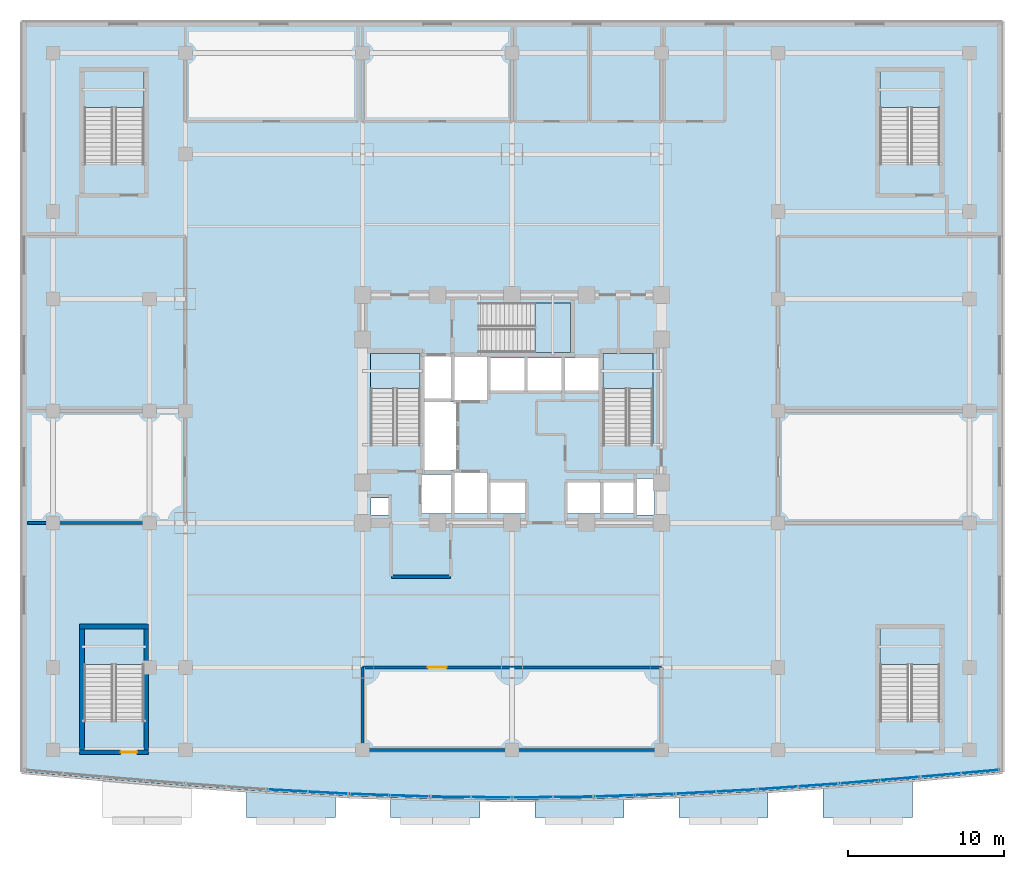
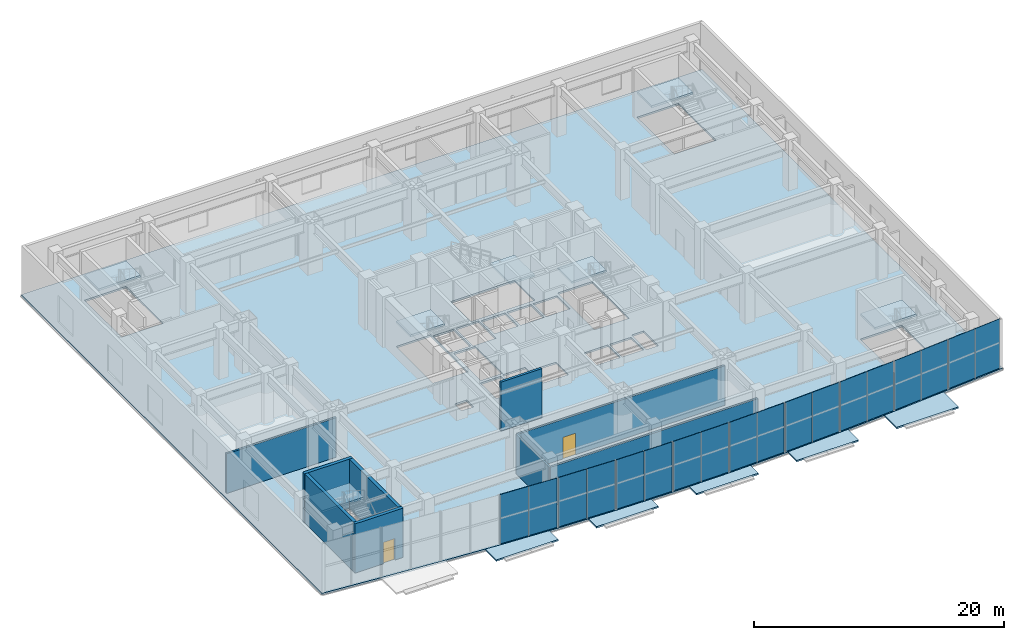
# One storey, part 11 of 24: 18 plates, 13 slabs, 9 walls, 2 doors, 2 openings, 16 elements without a shape of their own.
"""IFC4 building model written with IfcOpenShell, lengths in metres."""

from ifc_helpers import new_model, si_unit, direction, frame, frame_2d, origin, origin_2d, place, context, subcontext, project, spatial, polyline, rectangle, outline, extrude, material, layer, layer_set, type_object, element, fill, aggregate, save


model = new_model("IFC4")

# Units and contexts
model_context = context("Model", 3, precision=1e-05, world=origin(), true_north=direction((0.0, 1.0)))
body_context = subcontext(model_context, "Body", "Model", "MODEL_VIEW")
ifc_project = project(units=[si_unit("LENGTHUNIT", "METRE"), si_unit("AREAUNIT", "SQUARE_METRE"), si_unit("VOLUMEUNIT", "CUBIC_METRE"), si_unit("PLANEANGLEUNIT", "RADIAN"), si_unit("MASSUNIT", "GRAM", prefix="KILO")], contexts=[model_context])

# Site, building, storey
site_placement = place(None, origin())
site = spatial("IfcSite", under=ifc_project, at=site_placement, CompositionType="ELEMENT")
building_placement = place(site_placement, origin())
building = spatial("IfcBuilding", under=site, at=building_placement, Name="Vantalir Tower", CompositionType="ELEMENT")
storey_placement = place(building_placement, frame((0.0, 0.0, 6.0)))
storey = spatial("IfcBuildingStorey", under=building, at=storey_placement, Name="L01", CompositionType="ELEMENT", Elevation=6.0)

# Curtain wall, plates
ifc_material_1 = material(Name="Champagne-silver PVDF aluminium and double-silver Low-E glass", Category="aluminium")
ifc_layer_1 = layer(ifc_material_1, 0.239990234375)
ifc_layer_set_1 = layer_set([ifc_layer_1], Name="Champagne-silver PVDF aluminium and double-silver Low-E glass")
curtain_wall_type = type_object("IfcCurtainWallType", Name="CW-PODIUM-WF", PredefinedType="USERDEFINED", material=ifc_layer_set_1)
curtain_wall_1_placement = place(storey_placement, origin())
curtain_wall_1 = element("IfcCurtainWall", 1, at=curtain_wall_1_placement, inside=storey, type_object=curtain_wall_type, Name="Level 01 Waterfront Stick Curtain Wall 04", ObjectType="STICK CURTAIN WALL", PredefinedType="USERDEFINED")
ifc_material_2 = material(Name="Laminated waterfront podium glass IGU", Category="glass")
ifc_layer_2 = layer(ifc_material_2, 0.0400390625)
ifc_layer_set_2 = layer_set([ifc_layer_2], Name="Laminated waterfront podium glass IGU")
plate_type = type_object("IfcPlateType", Name="CWP-IGU-POD-40", PredefinedType="CURTAIN_PANEL", material=ifc_layer_set_2)
plate_1_placement = place(storey_placement, frame((17.0869140625, 0.593994140625, -0.008056640625), z_axis=(0.0, 0.0, 1.0), x_axis=(0.998519631691, -0.054392509858, 0.0)))
plate_1 = element("IfcPlate", 2, at=plate_1_placement, type_object=plate_type, Name="CW-L01-WF-04 Glazed Panel 1", PredefinedType="CURTAIN_PANEL", context=body_context, shape_type="SweptSolid", body=[
    extrude(rectangle(XDim=2.55908203125, YDim=0.0400390625, at=origin_2d()), origin(), (0.0, 0.0, 1.0), 4.8359375),
])
plate_2_placement = place(storey_placement, frame((19.6630859375, 0.4541015625, -0.008056640625), z_axis=(0.0, 0.0, 1.0), x_axis=(0.998519631691, -0.054392509858, 0.0)))
plate_2 = element("IfcPlate", 3, at=plate_2_placement, type_object=plate_type, Name="CW-L01-WF-04 Glazed Panel 2", PredefinedType="CURTAIN_PANEL", context=body_context, shape_type="SweptSolid", body=[
    extrude(rectangle(XDim=2.55908203125, YDim=0.0400390625, at=origin_2d()), origin(), (0.0, 0.0, 1.0), 4.8359375),
])
aggregate(curtain_wall_1, [plate_1, plate_2])

curtain_wall_2_placement = place(storey_placement, origin())
curtain_wall_2 = element("IfcCurtainWall", 4, at=curtain_wall_2_placement, inside=storey, type_object=curtain_wall_type, Name="Level 01 Waterfront Stick Curtain Wall 05", ObjectType="STICK CURTAIN WALL", PredefinedType="USERDEFINED")
plate_3_placement = place(storey_placement, frame((22.3369140625, 0.3349609375, -0.008056640625), z_axis=(0.0, 0.0, 1.0), x_axis=(0.999412557746, -0.034271554079, 0.0)))
plate_3 = element("IfcPlate", 5, at=plate_3_placement, type_object=plate_type, Name="CW-L01-WF-05 Glazed Panel 1", PredefinedType="CURTAIN_PANEL", context=body_context, shape_type="SweptSolid", body=[
    extrude(rectangle(XDim=2.556884765625, YDim=0.0400390625, at=origin_2d()), origin(), (0.0, 0.0, 1.0), 4.8359375),
])
plate_4_placement = place(storey_placement, frame((24.9130859375, 0.2470703125, -0.008056640625), z_axis=(0.0, 0.0, 1.0), x_axis=(0.999412557746, -0.034271554079, 0.0)))
plate_4 = element("IfcPlate", 6, at=plate_4_placement, type_object=plate_type, Name="CW-L01-WF-05 Glazed Panel 2", PredefinedType="CURTAIN_PANEL", context=body_context, shape_type="SweptSolid", body=[
    extrude(rectangle(XDim=2.556884765625, YDim=0.0400390625, at=origin_2d()), origin(), (0.0, 0.0, 1.0), 4.8359375),
])
aggregate(curtain_wall_2, [plate_3, plate_4])

curtain_wall_3_placement = place(storey_placement, origin())
curtain_wall_3 = element("IfcCurtainWall", 7, at=curtain_wall_3_placement, inside=storey, type_object=curtain_wall_type, Name="Level 01 Waterfront Stick Curtain Wall 06", ObjectType="STICK CURTAIN WALL", PredefinedType="USERDEFINED")
plate_5_placement = place(storey_placement, frame((27.5869140625, 0.18505859375, -0.008056640625), z_axis=(0.0, 0.0, 1.0), x_axis=(0.999932443319, -0.01162363106, 0.0)))
plate_5 = element("IfcPlate", 8, at=plate_5_placement, type_object=plate_type, Name="CW-L01-WF-06 Glazed Panel 1", PredefinedType="CURTAIN_PANEL", context=body_context, shape_type="SweptSolid", body=[
    extrude(rectangle(XDim=2.554931640625, YDim=0.0400390625, at=origin_2d()), origin(), (0.0, 0.0, 1.0), 4.8359375),
])
plate_6_placement = place(storey_placement, frame((30.1630859375, 0.156005859375, -0.008056640625), z_axis=(0.0, 0.0, 1.0), x_axis=(0.999932443319, -0.01162363106, 0.0)))
plate_6 = element("IfcPlate", 9, at=plate_6_placement, type_object=plate_type, Name="CW-L01-WF-06 Glazed Panel 2", PredefinedType="CURTAIN_PANEL", context=body_context, shape_type="SweptSolid", body=[
    extrude(rectangle(XDim=2.554931640625, YDim=0.0400390625, at=origin_2d()), origin(), (0.0, 0.0, 1.0), 4.8359375),
])
aggregate(curtain_wall_3, [plate_5, plate_6])

curtain_wall_4_placement = place(storey_placement, origin())
curtain_wall_4 = element("IfcCurtainWall", 10, at=curtain_wall_4_placement, inside=storey, type_object=curtain_wall_type, Name="Level 01 Waterfront Stick Curtain Wall 07", ObjectType="STICK CURTAIN WALL", PredefinedType="USERDEFINED")
plate_7_placement = place(storey_placement, frame((32.8369140625, 0.156005859375, -0.008056640625), z_axis=(0.0, 0.0, 1.0), x_axis=(0.999932443319, 0.01162363106, 0.0)))
plate_7 = element("IfcPlate", 11, at=plate_7_placement, type_object=plate_type, Name="CW-L01-WF-07 Glazed Panel 1", PredefinedType="CURTAIN_PANEL", context=body_context, shape_type="SweptSolid", body=[
    extrude(rectangle(XDim=2.554931640625, YDim=0.0400390625, at=origin_2d()), origin(), (0.0, 0.0, 1.0), 4.8359375),
])
plate_8_placement = place(storey_placement, frame((35.4130859375, 0.18505859375, -0.008056640625), z_axis=(0.0, 0.0, 1.0), x_axis=(0.999932443319, 0.01162363106, 0.0)))
plate_8 = element("IfcPlate", 12, at=plate_8_placement, type_object=plate_type, Name="CW-L01-WF-07 Glazed Panel 2", PredefinedType="CURTAIN_PANEL", context=body_context, shape_type="SweptSolid", body=[
    extrude(rectangle(XDim=2.554931640625, YDim=0.0400390625, at=origin_2d()), origin(), (0.0, 0.0, 1.0), 4.8359375),
])
aggregate(curtain_wall_4, [plate_7, plate_8])

curtain_wall_5_placement = place(storey_placement, origin())
curtain_wall_5 = element("IfcCurtainWall", 13, at=curtain_wall_5_placement, inside=storey, type_object=curtain_wall_type, Name="Level 01 Waterfront Stick Curtain Wall 08", ObjectType="STICK CURTAIN WALL", PredefinedType="USERDEFINED")
plate_9_placement = place(storey_placement, frame((38.0869140625, 0.2470703125, -0.008056640625), z_axis=(0.0, 0.0, 1.0), x_axis=(0.999412557746, 0.034271554079, 0.0)))
plate_9 = element("IfcPlate", 14, at=plate_9_placement, type_object=plate_type, Name="CW-L01-WF-08 Glazed Panel 1", PredefinedType="CURTAIN_PANEL", context=body_context, shape_type="SweptSolid", body=[
    extrude(rectangle(XDim=2.556884765625, YDim=0.0400390625, at=origin_2d()), origin(), (0.0, 0.0, 1.0), 4.8359375),
])
plate_10_placement = place(storey_placement, frame((40.6630859375, 0.3349609375, -0.008056640625), z_axis=(0.0, 0.0, 1.0), x_axis=(0.999412557746, 0.034271554079, 0.0)))
plate_10 = element("IfcPlate", 15, at=plate_10_placement, type_object=plate_type, Name="CW-L01-WF-08 Glazed Panel 2", PredefinedType="CURTAIN_PANEL", context=body_context, shape_type="SweptSolid", body=[
    extrude(rectangle(XDim=2.556884765625, YDim=0.0400390625, at=origin_2d()), origin(), (0.0, 0.0, 1.0), 4.8359375),
])
aggregate(curtain_wall_5, [plate_9, plate_10])

curtain_wall_6_placement = place(storey_placement, origin())
curtain_wall_6 = element("IfcCurtainWall", 16, at=curtain_wall_6_placement, inside=storey, type_object=curtain_wall_type, Name="Level 01 Waterfront Stick Curtain Wall 09", ObjectType="STICK CURTAIN WALL", PredefinedType="USERDEFINED")
plate_11_placement = place(storey_placement, frame((43.3369140625, 0.4541015625, -0.008056640625), z_axis=(0.0, 0.0, 1.0), x_axis=(0.998519631691, 0.054392509858, 0.0)))
plate_11 = element("IfcPlate", 17, at=plate_11_placement, type_object=plate_type, Name="CW-L01-WF-09 Glazed Panel 1", PredefinedType="CURTAIN_PANEL", context=body_context, shape_type="SweptSolid", body=[
    extrude(rectangle(XDim=2.55908203125, YDim=0.0400390625, at=origin_2d()), origin(), (0.0, 0.0, 1.0), 4.8359375),
])
plate_12_placement = place(storey_placement, frame((45.9130859375, 0.593994140625, -0.008056640625), z_axis=(0.0, 0.0, 1.0), x_axis=(0.998519631691, 0.054392509858, 0.0)))
plate_12 = element("IfcPlate", 18, at=plate_12_placement, type_object=plate_type, Name="CW-L01-WF-09 Glazed Panel 2", PredefinedType="CURTAIN_PANEL", context=body_context, shape_type="SweptSolid", body=[
    extrude(rectangle(XDim=2.55908203125, YDim=0.0400390625, at=origin_2d()), origin(), (0.0, 0.0, 1.0), 4.8359375),
])
aggregate(curtain_wall_6, [plate_11, plate_12])

curtain_wall_7_placement = place(storey_placement, origin())
curtain_wall_7 = element("IfcCurtainWall", 19, at=curtain_wall_7_placement, inside=storey, type_object=curtain_wall_type, Name="Level 01 Waterfront Stick Curtain Wall 10", ObjectType="STICK CURTAIN WALL", PredefinedType="USERDEFINED")
plate_13_placement = place(storey_placement, frame((48.5869140625, 0.761962890625, -0.008056640625), z_axis=(0.0, 0.0, 1.0), x_axis=(0.99748550921, 0.070870719734, 0.0)))
plate_13 = element("IfcPlate", 20, at=plate_13_placement, type_object=plate_type, Name="CW-L01-WF-10 Glazed Panel 1", PredefinedType="CURTAIN_PANEL", context=body_context, shape_type="SweptSolid", body=[
    extrude(rectangle(XDim=2.56201171875, YDim=0.0400390625, at=origin_2d()), origin(), (0.0, 0.0, 1.0), 4.8359375),
])
plate_14_placement = place(storey_placement, frame((51.1630859375, 0.945068359375, -0.008056640625), z_axis=(0.0, 0.0, 1.0), x_axis=(0.99748550921, 0.070870719734, 0.0)))
plate_14 = element("IfcPlate", 21, at=plate_14_placement, type_object=plate_type, Name="CW-L01-WF-10 Glazed Panel 2", PredefinedType="CURTAIN_PANEL", context=body_context, shape_type="SweptSolid", body=[
    extrude(rectangle(XDim=2.56201171875, YDim=0.0400390625, at=origin_2d()), origin(), (0.0, 0.0, 1.0), 4.8359375),
])
aggregate(curtain_wall_7, [plate_13, plate_14])

curtain_wall_8_placement = place(storey_placement, origin())
curtain_wall_8 = element("IfcCurtainWall", 22, at=curtain_wall_8_placement, inside=storey, type_object=curtain_wall_type, Name="Level 01 Waterfront Stick Curtain Wall 11", ObjectType="STICK CURTAIN WALL", PredefinedType="USERDEFINED")
plate_15_placement = place(storey_placement, frame((53.8369140625, 1.15087890625, -0.008056640625), z_axis=(0.0, 0.0, 1.0), x_axis=(0.996600101689, 0.082390759878, 0.0)))
plate_15 = element("IfcPlate", 23, at=plate_15_placement, type_object=plate_type, Name="CW-L01-WF-11 Glazed Panel 1", PredefinedType="CURTAIN_PANEL", context=body_context, shape_type="SweptSolid", body=[
    extrude(rectangle(XDim=2.56396484375, YDim=0.0400390625, at=origin_2d()), origin(), (0.0, 0.0, 1.0), 4.8359375),
])
plate_16_placement = place(storey_placement, frame((56.4130859375, 1.363037109375, -0.008056640625), z_axis=(0.0, 0.0, 1.0), x_axis=(0.996600101689, 0.082390759878, 0.0)))
plate_16 = element("IfcPlate", 24, at=plate_16_placement, type_object=plate_type, Name="CW-L01-WF-11 Glazed Panel 2", PredefinedType="CURTAIN_PANEL", context=body_context, shape_type="SweptSolid", body=[
    extrude(rectangle(XDim=2.56396484375, YDim=0.0400390625, at=origin_2d()), origin(), (0.0, 0.0, 1.0), 4.8359375),
])
aggregate(curtain_wall_8, [plate_15, plate_16])

curtain_wall_9_placement = place(storey_placement, origin())
curtain_wall_9 = element("IfcCurtainWall", 25, at=curtain_wall_9_placement, inside=storey, type_object=curtain_wall_type, Name="Level 01 Waterfront Stick Curtain Wall 12", ObjectType="STICK CURTAIN WALL", PredefinedType="USERDEFINED")
plate_17_placement = place(storey_placement, frame((59.0869140625, 1.593017578125, -0.008056640625), z_axis=(0.0, 0.0, 1.0), x_axis=(0.99608438842, 0.088407528781, 0.0)))
plate_17 = element("IfcPlate", 26, at=plate_17_placement, type_object=plate_type, Name="CW-L01-WF-12 Glazed Panel 1", PredefinedType="CURTAIN_PANEL", context=body_context, shape_type="SweptSolid", body=[
    extrude(rectangle(XDim=2.56494140625, YDim=0.0400390625, at=origin_2d()), origin(), (0.0, 0.0, 1.0), 4.8359375),
])
plate_18_placement = place(storey_placement, frame((61.597900390625, 1.81591796875, -0.008056640625), z_axis=(0.0, 0.0, 1.0), x_axis=(0.99608438842, 0.088407528781, 0.0)))
plate_18 = element("IfcPlate", 27, at=plate_18_placement, type_object=plate_type, Name="CW-L01-WF-12 Glazed Panel 2", PredefinedType="CURTAIN_PANEL", context=body_context, shape_type="SweptSolid", body=[
    extrude(rectangle(XDim=2.43505859375, YDim=0.0400390625, at=origin_2d()), origin(), (0.0, 0.0, 1.0), 4.8359375),
])
aggregate(curtain_wall_9, [plate_17, plate_18])

# Slabs
ifc_material_3 = material(Name="Champagne-silver aluminium and Concrete C40/50 canopy", Category="concrete")
ifc_layer_3 = layer(ifc_material_3, 0.14990234375)
ifc_layer_set_3 = layer_set([ifc_layer_3], Name="Champagne-silver aluminium and Concrete C40/50 canopy")
slab_type_1 = type_object("IfcSlabType", Name="SL-KAKILIMA-CANOPY-150", PredefinedType="ROOF", material=ifc_layer_set_3)
slab_1_placement = place(storey_placement, frame((0.0, 0.0, -0.14990234375)))
element("IfcSlab", 28, at=slab_1_placement, inside=storey, type_object=slab_type_1, Name="Level 01 Waterfront Kaki-Lima Canopy Bay 02", PredefinedType="ROOF", context=body_context, shape_type="SweptSolid", body=[
    extrude(outline(polyline([(20.1669921875, 0.282958984375), (15.75, 0.52392578125), (14.43310546875, 0.617919921875), (14.43310546875, -1.14990234375), (20.1669921875, -1.14990234375), (20.1669921875, 0.282958984375)])), origin(), (0.0, 0.0, 1.0), 0.14990234375),
])
slab_2_placement = place(storey_placement, frame((0.0, 0.0, -0.14990234375)))
element("IfcSlab", 29, at=slab_2_placement, inside=storey, type_object=slab_type_1, Name="Level 01 Waterfront Kaki-Lima Canopy Bay 03", PredefinedType="ROOF", context=body_context, shape_type="SweptSolid", body=[
    extrude(outline(polyline([(29.43310546875, 0.02099609375), (26.25, 0.05810546875), (23.699951171875, 0.14501953125), (23.699951171875, -1.14990234375), (29.43310546875, -1.14990234375), (29.43310546875, 0.02099609375)])), origin(), (0.0, 0.0, 1.0), 0.14990234375),
])
slab_3_placement = place(storey_placement, frame((0.0, 0.0, -0.14990234375)))
element("IfcSlab", 30, at=slab_3_placement, inside=storey, type_object=slab_type_1, Name="Level 01 Waterfront Kaki-Lima Canopy Bay 04", PredefinedType="ROOF", context=body_context, shape_type="SweptSolid", body=[
    extrude(outline(polyline([(38.699951171875, 0.125), (36.75, 0.05810546875), (32.967041015625, 0.013916015625), (32.967041015625, -1.14990234375), (38.699951171875, -1.14990234375), (38.699951171875, 0.125)])), origin(), (0.0, 0.0, 1.0), 0.14990234375),
])
slab_4_placement = place(storey_placement, frame((0.0, 0.0, -0.14990234375)))
element("IfcSlab", 31, at=slab_4_placement, inside=storey, type_object=slab_type_1, Name="Level 01 Waterfront Kaki-Lima Canopy Bay 05", PredefinedType="ROOF", context=body_context, shape_type="SweptSolid", body=[
    extrude(outline(polyline([(47.967041015625, 0.574951171875), (47.25, 0.52392578125), (42.23291015625, 0.2509765625), (42.23291015625, -1.14990234375), (47.967041015625, -1.14990234375), (47.967041015625, 0.574951171875)])), origin(), (0.0, 0.0, 1.0), 0.14990234375),
])
slab_5_placement = place(storey_placement, frame((0.0, 0.0, -0.14990234375)))
element("IfcSlab", 32, at=slab_5_placement, inside=storey, type_object=slab_type_1, Name="Level 01 Waterfront Kaki-Lima Canopy Bay 06", PredefinedType="ROOF", context=body_context, shape_type="SweptSolid", body=[
    extrude(outline(polyline([(57.23291015625, 1.2880859375), (52.5, 0.89697265625), (51.5, 0.825927734375), (51.5, -1.14990234375), (57.23291015625, -1.14990234375), (57.23291015625, 1.2880859375)])), origin(), (0.0, 0.0, 1.0), 0.14990234375),
])

# Stair, slab
ifc_material_4 = material(Name="Concrete C40/50", Category="concrete")
stair_type_1 = type_object("IfcStairType", Name="STR-CORE-1450", PredefinedType="HALF_TURN_STAIR", material=ifc_material_4)
stair_1_placement = place(storey_placement, origin())
stair_1 = element("IfcStair", 33, at=stair_1_placement, inside=storey, type_object=stair_type_1, Name="Level 01 Core Exit Stair 1", PredefinedType="HALF_TURN_STAIR")
ifc_layer_4 = layer(ifc_material_4, 0.199951171875)
ifc_layer_set_4 = layer_set([ifc_layer_4], Name="Concrete C40/50")
slab_type_2 = type_object("IfcSlabType", Name="SL-LAND-200", PredefinedType="LANDING", material=ifc_layer_set_4)
slab_6_placement = place(storey_placement, frame((0.0, 0.0, 2.300048828125)))
slab_6 = element("IfcSlab", 34, at=slab_6_placement, type_object=slab_type_2, Name="ST1 landing 1", PredefinedType="LANDING", context=body_context, shape_type="SweptSolid", body=[
    extrude(outline(polyline([(25.60009765625, 26.429931640625), (25.60009765625, 28.699951171875), (22.39990234375, 28.699951171875), (22.39990234375, 26.429931640625), (25.60009765625, 26.429931640625)])), origin(), (0.0, 0.0, 1.0), 0.199951171875),
])
aggregate(stair_1, [slab_6])

stair_2_placement = place(storey_placement, origin())
stair_2 = element("IfcStair", 35, at=stair_2_placement, inside=storey, type_object=stair_type_1, Name="Level 01 Core Exit Stair 2", PredefinedType="HALF_TURN_STAIR")
slab_7_placement = place(storey_placement, frame((0.0, 0.0, 2.300048828125)))
slab_7 = element("IfcSlab", 36, at=slab_7_placement, type_object=slab_type_2, Name="ST2 landing 1", PredefinedType="LANDING", context=body_context, shape_type="SweptSolid", body=[
    extrude(outline(polyline([(40.550048828125, 26.429931640625), (40.550048828125, 28.699951171875), (37.35009765625, 28.699951171875), (37.35009765625, 26.429931640625), (40.550048828125, 26.429931640625)])), origin(), (0.0, 0.0, 1.0), 0.199951171875),
])
aggregate(stair_2, [slab_7])

stair_3_placement = place(storey_placement, origin())
stair_3 = element("IfcStair", 37, at=stair_3_placement, inside=storey, type_object=stair_type_1, Name="Level 01 Core Exit Stair 3", PredefinedType="HALF_TURN_STAIR")
slab_8_placement = place(storey_placement, frame((0.0, 0.0, 2.300048828125)))
slab_8 = element("IfcSlab", 38, at=slab_8_placement, type_object=slab_type_2, Name="ST3 landing 1", PredefinedType="LANDING", context=body_context, shape_type="SweptSolid", body=[
    extrude(outline(polyline([(32.97998046875, 28.75), (35.25, 28.75), (35.25, 31.949951171875), (32.97998046875, 31.949951171875), (32.97998046875, 28.75)])), origin(), (0.0, 0.0, 1.0), 0.199951171875),
])
aggregate(stair_3, [slab_8])

stair_type_2 = type_object("IfcStairType", Name="STR-POD-1550", PredefinedType="HALF_TURN_STAIR", material=ifc_material_4)
stair_4_placement = place(storey_placement, origin())
stair_4 = element("IfcStair", 39, at=stair_4_placement, inside=storey, type_object=stair_type_2, Name="Level 01 Podium Exit Stair 1", PredefinedType="HALF_TURN_STAIR")
slab_9_placement = place(storey_placement, frame((0.0, 0.0, 2.300048828125)))
slab_9 = element("IfcSlab", 40, at=slab_9_placement, type_object=slab_type_2, Name="PST1 landing 1", PredefinedType="LANDING", context=body_context, shape_type="SweptSolid", body=[
    extrude(outline(polyline([(7.85009765625, 44.489990234375), (7.85009765625, 46.800048828125), (4.0, 46.800048828125), (4.0, 44.489990234375), (7.85009765625, 44.489990234375)])), origin(), (0.0, 0.0, 1.0), 0.199951171875),
])
aggregate(stair_4, [slab_9])

stair_5_placement = place(storey_placement, origin())
stair_5 = element("IfcStair", 41, at=stair_5_placement, inside=storey, type_object=stair_type_2, Name="Level 01 Podium Exit Stair 2", PredefinedType="HALF_TURN_STAIR")
slab_10_placement = place(storey_placement, frame((0.0, 0.0, 2.300048828125)))
slab_10 = element("IfcSlab", 42, at=slab_10_placement, type_object=slab_type_2, Name="PST2 landing 1", PredefinedType="LANDING", context=body_context, shape_type="SweptSolid", body=[
    extrude(outline(polyline([(59.0, 44.489990234375), (59.0, 46.800048828125), (55.14990234375, 46.800048828125), (55.14990234375, 44.489990234375), (59.0, 44.489990234375)])), origin(), (0.0, 0.0, 1.0), 0.199951171875),
])
aggregate(stair_5, [slab_10])

stair_6_placement = place(storey_placement, origin())
stair_6 = element("IfcStair", 43, at=stair_6_placement, inside=storey, type_object=stair_type_2, Name="Level 01 Podium Exit Stair 3", PredefinedType="HALF_TURN_STAIR")
slab_11_placement = place(storey_placement, frame((0.0, 0.0, 2.300048828125)))
slab_11 = element("IfcSlab", 44, at=slab_11_placement, type_object=slab_type_2, Name="PST3 landing 1", PredefinedType="LANDING", context=body_context, shape_type="SweptSolid", body=[
    extrude(outline(polyline([(7.85009765625, 8.68994140625), (7.85009765625, 11.0), (4.0, 11.0), (4.0, 8.68994140625), (7.85009765625, 8.68994140625)])), origin(), (0.0, 0.0, 1.0), 0.199951171875),
])
aggregate(stair_6, [slab_11])

stair_7_placement = place(storey_placement, origin())
stair_7 = element("IfcStair", 45, at=stair_7_placement, inside=storey, type_object=stair_type_2, Name="Level 01 Podium Exit Stair 4", PredefinedType="HALF_TURN_STAIR")
slab_12_placement = place(storey_placement, frame((0.0, 0.0, 2.300048828125)))
slab_12 = element("IfcSlab", 46, at=slab_12_placement, type_object=slab_type_2, Name="PST4 landing 1", PredefinedType="LANDING", context=body_context, shape_type="SweptSolid", body=[
    extrude(outline(polyline([(59.0, 8.68994140625), (59.0, 11.0), (55.14990234375, 11.0), (55.14990234375, 8.68994140625), (59.0, 8.68994140625)])), origin(), (0.0, 0.0, 1.0), 0.199951171875),
])
aggregate(stair_7, [slab_12])

# Slab
ifc_layer_5 = layer(ifc_material_4, 0.179931640625)
ifc_layer_set_5 = layer_set([ifc_layer_5], Name="Concrete C40/50")
slab_type_3 = type_object("IfcSlabType", Name="SL-TWR-180", PredefinedType="FLOOR", material=ifc_layer_set_5)
slab_13_placement = place(storey_placement, frame((0.0, 0.0, -0.179931640625)))
element("IfcSlab", 47, at=slab_13_placement, inside=storey, type_object=slab_type_3, Name="Level 01 Primary Structural Slab", PredefinedType="FLOOR", context=body_context, shape_type="SweptSolid", body=[
    extrude(outline(polyline([(57.75, 1.333984375), (63.0, 1.800048828125), (63.0, 50.0), (0.0, 50.0), (0.0, 1.800048828125), (5.25, 1.333984375), (10.5, 0.89990234375), (15.75, 0.527099609375), (21.0, 0.240966796875), (26.25, 0.06103515625), (31.5, 0.0), (36.75, 0.06103515625), (42.0, 0.240966796875), (47.25, 0.527099609375), (52.5, 0.89990234375), (57.75, 1.333984375)]), holes=[polyline([(22.39990234375, 22.7900390625), (22.39990234375, 28.699951171875), (25.60009765625, 28.699951171875), (25.60009765625, 22.7900390625), (22.39990234375, 22.7900390625)]), polyline([(37.35009765625, 28.699951171875), (40.550048828125, 28.699951171875), (40.550048828125, 22.7900390625), (37.35009765625, 22.7900390625), (37.35009765625, 28.699951171875)]), polyline([(35.25, 28.75), (29.340087890625, 28.75), (29.340087890625, 31.949951171875), (35.25, 31.949951171875), (35.25, 28.75)]), polyline([(7.85009765625, 40.85009765625), (4.0, 40.85009765625), (4.0, 46.800048828125), (7.85009765625, 46.800048828125), (7.85009765625, 40.85009765625)]), polyline([(55.14990234375, 40.85009765625), (55.14990234375, 46.800048828125), (59.0, 46.800048828125), (59.0, 40.85009765625), (55.14990234375, 40.85009765625)]), polyline([(4.0, 11.0), (7.85009765625, 11.0), (7.85009765625, 5.050048828125), (4.0, 5.050048828125), (4.0, 11.0)]), polyline([(59.0, 11.0), (59.0, 5.050048828125), (55.14990234375, 5.050048828125), (55.14990234375, 11.0), (59.0, 11.0)]), polyline([(27.60009765625, 18.39990234375), (25.699951171875, 18.39990234375), (25.699951171875, 20.89990234375), (27.60009765625, 20.89990234375), (27.60009765625, 18.39990234375)]), polyline([(25.699951171875, 25.800048828125), (25.699951171875, 28.5), (27.60009765625, 28.5), (27.60009765625, 25.800048828125), (25.699951171875, 25.800048828125)]), polyline([(27.800048828125, 21.0), (29.89990234375, 21.0), (29.89990234375, 18.39990234375), (27.800048828125, 18.39990234375), (27.800048828125, 21.0)]), polyline([(29.89990234375, 28.5), (29.89990234375, 25.699951171875), (27.800048828125, 25.699951171875), (27.800048828125, 28.5), (29.89990234375, 28.5)]), polyline([(32.39990234375, 18.39990234375), (30.10009765625, 18.39990234375), (30.10009765625, 20.39990234375), (32.39990234375, 20.39990234375), (32.39990234375, 18.39990234375)]), polyline([(37.35009765625, 18.39990234375), (37.35009765625, 20.39990234375), (39.35009765625, 20.39990234375), (39.35009765625, 18.39990234375), (37.35009765625, 18.39990234375)]), polyline([(35.0, 20.39990234375), (37.199951171875, 20.39990234375), (37.199951171875, 18.39990234375), (35.0, 18.39990234375), (35.0, 20.39990234375)]), polyline([(32.300048828125, 28.39990234375), (32.300048828125, 26.300048828125), (30.10009765625, 26.300048828125), (30.10009765625, 28.39990234375), (32.300048828125, 28.39990234375)]), polyline([(34.699951171875, 26.300048828125), (32.5, 26.300048828125), (32.5, 28.39990234375), (34.699951171875, 28.39990234375), (34.699951171875, 26.300048828125)]), polyline([(34.89990234375, 26.300048828125), (34.89990234375, 28.39990234375), (37.10009765625, 28.39990234375), (37.10009765625, 26.300048828125), (34.89990234375, 26.300048828125)]), polyline([(25.889892578125, 25.56005859375), (27.89990234375, 25.56005859375), (27.89990234375, 21.199951171875), (25.889892578125, 21.199951171875), (25.889892578125, 25.56005859375)]), polyline([(23.550048828125, 19.39990234375), (23.550048828125, 18.300048828125), (22.449951171875, 18.300048828125), (22.449951171875, 19.39990234375), (23.550048828125, 19.39990234375)]), polyline([(40.64990234375, 18.300048828125), (39.550048828125, 18.300048828125), (39.550048828125, 20.64990234375), (40.64990234375, 20.64990234375), (40.64990234375, 18.300048828125)])]), origin(), (0.0, 0.0, 1.0), 0.179931640625),
])

# Walls
ifc_material_5 = material(Name="Concrete blockwork with fireboard lining", Category="masonry")
ifc_layer_6 = layer(ifc_material_5, 0.219970703125)
ifc_layer_set_6 = layer_set([ifc_layer_6], Name="Concrete blockwork with fireboard lining")
wall_type_1 = type_object("IfcWallType", Name="WL-FFL-220", PredefinedType="PARTITIONING", material=ifc_layer_set_6)
wall_1_placement = place(storey_placement, frame((23.75, 14.35009765625, 0.0), z_axis=(0.0, 0.0, 1.0), x_axis=(1.0, 0.0, 0.0)))
element("IfcWall", 48, at=wall_1_placement, inside=storey, type_object=wall_type_1, Name="Floor 1 Firefighting Lobby West South Wall", PredefinedType="PARTITIONING", context=body_context, shape_type="SweptSolid", body=[
    extrude(rectangle(XDim=3.800048828125, YDim=0.219970703125, at=frame_2d((1.89990234375, 0.0))), origin(), (0.0, 0.0, 1.0), 4.800048828125),
])
ifc_material_6 = material(Name="Twin-stud acoustic fire-rated gypsum partition", Category="gypsum")
ifc_layer_7 = layer(ifc_material_6, 0.179931640625)
ifc_layer_set_7 = layer_set([ifc_layer_7], Name="Twin-stud acoustic fire-rated gypsum partition")
wall_type_2 = type_object("IfcWallType", Name="WL-GUEST-180", PredefinedType="PARTITIONING", material=ifc_layer_set_7)
wall_2_placement = place(storey_placement, frame((0.35009765625, 17.800048828125, 0.0), z_axis=(0.0, 0.0, 1.0), x_axis=(1.0, 0.0, 0.0)))
element("IfcWall", 49, at=wall_2_placement, inside=storey, type_object=wall_type_2, Name="Floor 1 Straits Specialty Restaurant South Wall", PredefinedType="PARTITIONING", context=body_context, shape_type="SweptSolid", body=[
    extrude(rectangle(XDim=10.14990234375, YDim=0.179931640625, at=frame_2d((5.074951171875, 0.0))), origin(), (0.0, 0.0, 1.0), 3.867919921875),
])
wall_3_placement = place(storey_placement, frame((21.89990234375, 3.199951171875, 0.0), z_axis=(0.0, 0.0, 1.0), x_axis=(1.0, 0.0, 0.0)))
element("IfcWall", 50, at=wall_3_placement, inside=storey, type_object=wall_type_2, Name="Floor 1 Observation Pre-Show Exhibition Gallery South Wall", PredefinedType="PARTITIONING", context=body_context, shape_type="SweptSolid", body=[
    extrude(rectangle(XDim=19.2001953125, YDim=0.179931640625, at=frame_2d((9.60009765625, 0.0))), origin(), (0.0, 0.0, 1.0), 3.867919921875),
])

# Wall, opening, door
wall_4_placement = place(storey_placement, frame((21.89990234375, 8.5, 0.0), z_axis=(0.0, 0.0, 1.0), x_axis=(1.0, 0.0, 0.0)))
wall_4 = element("IfcWall", 51, at=wall_4_placement, inside=storey, type_object=wall_type_2, Name="Floor 1 Observation Pre-Show Exhibition Gallery North Wall", PredefinedType="PARTITIONING", context=body_context, shape_type="SweptSolid", body=[
    extrude(rectangle(XDim=19.2001953125, YDim=0.179931640625, at=frame_2d((9.60009765625, 0.0))), origin(), (0.0, 0.0, 1.0), 3.867919921875),
])
opening_1_placement = place(wall_4_placement, frame((4.199951171875, 0.0, 0.0)))
opening_1 = element("IfcOpeningElement", 52, at=opening_1_placement, cuts=wall_4, Name="Opening D-STE", PredefinedType="OPENING", context=body_context, shape_type="SweptSolid", body=[
    extrude(rectangle(XDim=1.199951171875, YDim=2.10009765625, at=frame_2d((0.60009765625, 1.050048828125))), frame((0.0, 0.099853515625, 0.0), z_axis=(0.0, -1.0, 0.0), x_axis=(1.0, 0.0, 0.0)), (0.0, 0.0, 1.0), 0.199951171875),
])
ifc_material_7 = material(Name="Solid-core teak veneer suite entrance door", Category="wood")
door_type_1 = type_object("IfcDoorType", Name="DR-SUITE-ENTRY-1200", OperationType="NOTDEFINED", PredefinedType="DOOR", material=ifc_material_7)
door_1_placement = place(opening_1_placement, frame((1.199951171875, 0.0, 0.0), z_axis=(0.0, 0.0, 1.0), x_axis=(-1.0, 0.0, 0.0)))
door_1 = element("IfcDoor", 53, at=door_1_placement, inside=storey, type_object=door_type_1, Name="Floor 1 Observation Pre-Show Exhibition Gallery Door", OperationType="SINGLE_SWING_LEFT", OverallHeight=2.10009765625, OverallWidth=1.199951171875, PredefinedType="DOOR", context=body_context, shape_type="SweptSolid", body=[
    extrude(rectangle(XDim=1.199951171875, YDim=2.10009765625, at=frame_2d((0.60009765625, 1.050048828125))), frame((0.0, 0.02490234375, 0.0), z_axis=(0.0, -1.0, 0.0), x_axis=(1.0, 0.0, 0.0)), (0.0, 0.0, 1.0), 0.050048828125),
])
fill(opening_1, door_1)

# Wall
wall_5_placement = place(storey_placement, frame((21.89990234375, 3.199951171875, 0.0), z_axis=(0.0, 0.0, 1.0), x_axis=(0.0, 1.0, 0.0)))
element("IfcWall", 54, at=wall_5_placement, inside=storey, type_object=wall_type_2, Name="Floor 1 Observation Pre-Show Exhibition Gallery West Wall", PredefinedType="PARTITIONING", context=body_context, shape_type="SweptSolid", body=[
    extrude(rectangle(XDim=5.300048828125, YDim=0.179931640625, at=frame_2d((2.64990234375, 0.0))), origin(), (0.0, 0.0, 1.0), 3.867919921875),
])

# Wall, opening, door
ifc_material_8 = material(Name="Concrete C50/60", Category="concrete")
ifc_layer_8 = layer(ifc_material_8, 0.300048828125)
ifc_layer_set_8 = layer_set([ifc_layer_8], Name="Concrete C50/60")
wall_type_3 = type_object("IfcWallType", Name="WL-STAIR-300", PredefinedType="SHEAR", material=ifc_layer_set_8)
wall_6_placement = place(storey_placement, frame((3.699951171875, 3.06005859375, 0.0), z_axis=(0.0, 0.0, 1.0), x_axis=(1.0, 0.0, 0.0)))
wall_6 = element("IfcWall", 55, at=wall_6_placement, inside=storey, type_object=wall_type_3, Name="Floor 1 PST3 South Wall", PredefinedType="SHEAR", context=body_context, shape_type="SweptSolid", body=[
    extrude(rectangle(XDim=4.449951171875, YDim=0.300048828125, at=frame_2d((2.22509765625, 0.0))), origin(), (0.0, 0.0, 1.0), 4.820068359375),
])
opening_2_placement = place(wall_6_placement, frame((2.64990234375, 0.0, 0.0)))
opening_2 = element("IfcOpeningElement", 56, at=opening_2_placement, cuts=wall_6, Name="Opening D-ST", PredefinedType="OPENING", context=body_context, shape_type="SweptSolid", body=[
    extrude(rectangle(XDim=1.050048828125, YDim=2.10009765625, at=frame_2d((0.52490234375, 1.050048828125))), frame((0.0, 0.159912109375, 0.0), z_axis=(0.0, -1.0, 0.0), x_axis=(1.0, 0.0, 0.0)), (0.0, 0.0, 1.0), 0.320068359375),
])
ifc_material_9 = material(Name="Fire-rated steel door leaf", Category="steel")
door_type_2 = type_object("IfcDoorType", Name="DR-FIRE-STAIR-1050", OperationType="NOTDEFINED", PredefinedType="DOOR", material=ifc_material_9)
door_2_placement = place(opening_2_placement, origin())
door_2 = element("IfcDoor", 57, at=door_2_placement, inside=storey, type_object=door_type_2, Name="Floor 1 Podium Stair PST3 Fire Door", OperationType="SINGLE_SWING_LEFT", OverallHeight=2.10009765625, OverallWidth=1.050048828125, PredefinedType="DOOR", context=body_context, shape_type="SweptSolid", body=[
    extrude(rectangle(XDim=1.050048828125, YDim=2.10009765625, at=frame_2d((0.52490234375, 1.050048828125))), frame((0.0, 0.02490234375, 0.0), z_axis=(0.0, -1.0, 0.0), x_axis=(1.0, 0.0, 0.0)), (0.0, 0.0, 1.0), 0.050048828125),
])
fill(opening_2, door_2)

# Walls
wall_7_placement = place(storey_placement, frame((3.699951171875, 11.139892578125, 0.0), z_axis=(0.0, 0.0, 1.0), x_axis=(1.0, 0.0, 0.0)))
element("IfcWall", 58, at=wall_7_placement, inside=storey, type_object=wall_type_3, Name="Floor 1 PST3 North Wall", PredefinedType="SHEAR", context=body_context, shape_type="SweptSolid", body=[
    extrude(rectangle(XDim=4.449951171875, YDim=0.300048828125, at=frame_2d((2.22509765625, 0.0))), origin(), (0.0, 0.0, 1.0), 4.820068359375),
])
for number, where, z_axis, x_axis, name in (
    (59, (3.860107421875, 3.06005859375, 0.0), (0.0, 0.0, 1.0), (0.0, 1.0, 0.0), "Floor 1 PST3 West Wall"),
    (60, (7.989990234375, 3.06005859375, 0.0), (0.0, 0.0, 1.0), (0.0, 1.0, 0.0), "Floor 1 PST3 East Wall"),
):
    element("IfcWall", number, at=place(storey_placement, frame(where, z_axis=z_axis, x_axis=x_axis)), inside=storey, type_object=wall_type_3, Name=name, PredefinedType="SHEAR", context=body_context, shape_type="SweptSolid", body=[
        extrude(rectangle(XDim=8.079833984375, YDim=0.300048828125, at=frame_2d((4.0400390625, 0.0))), origin(), (0.0, 0.0, 1.0), 4.820068359375),
    ])

save(model, "model.ifc")
